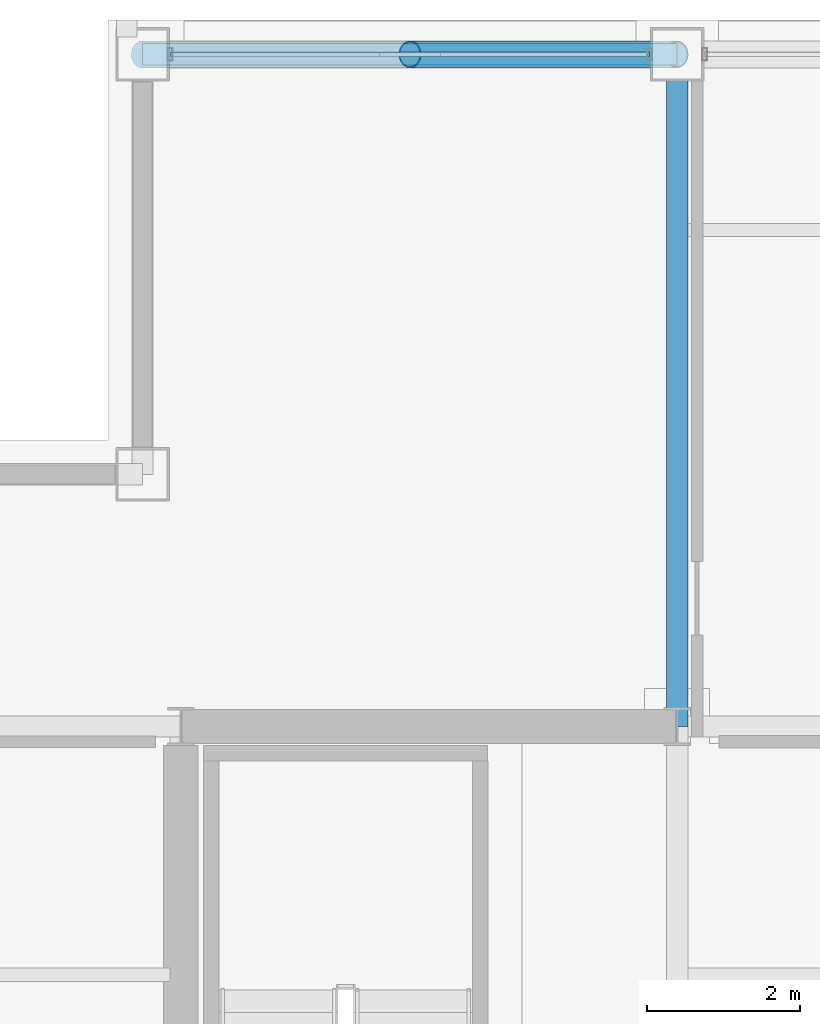
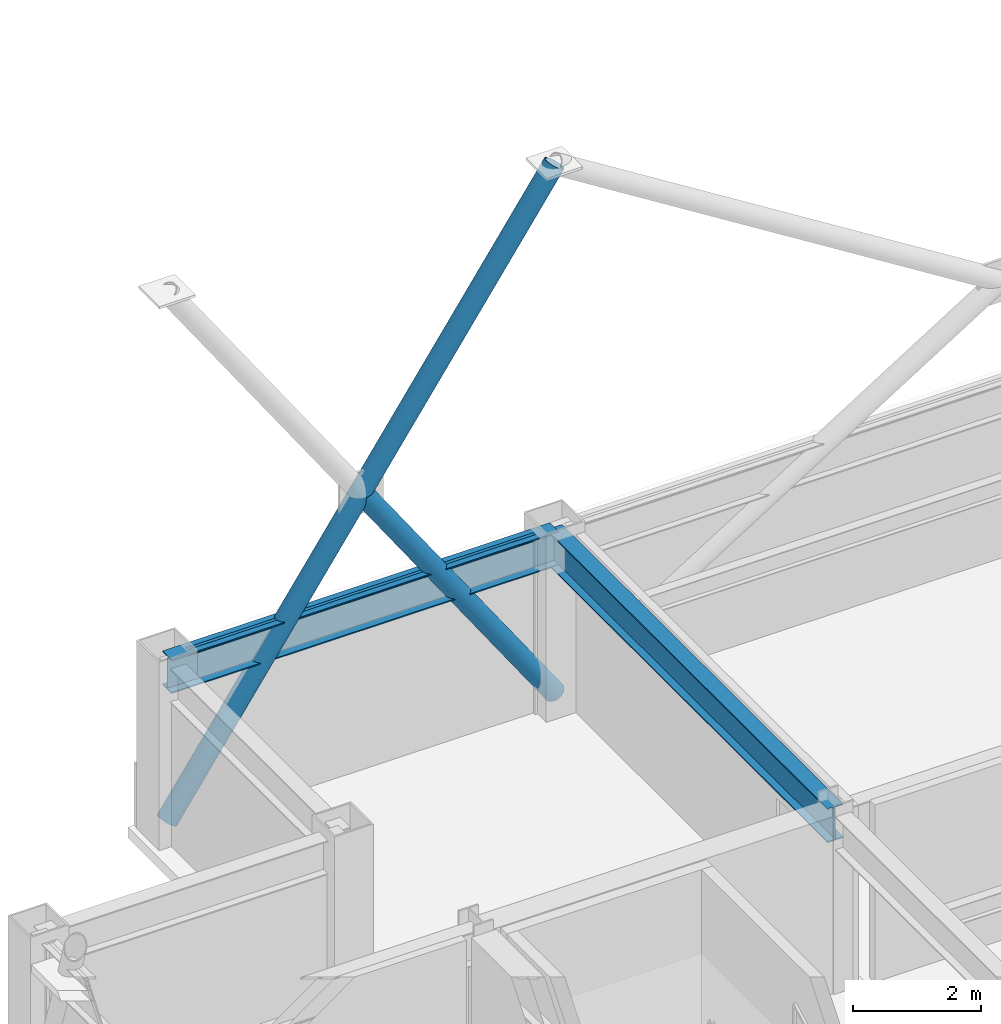
# One storey, part 22 of 33: 3 members, 2 beams, 1 element without a shape of its own.
"""IFC4 building model written with IfcOpenShell, lengths in metres."""

from ifc_helpers import new_model, si_unit, direction, frame, origin, origin_2d, place, context, subcontext, project, spatial, hollow_rectangle, hollow_circle, i_section, extrude, material, layer, layer_set, material_profile, profile_set, type_object, element, aggregate, save


model = new_model("IFC4")

# Units and contexts
model_context = context("Model", 3, precision=1e-05, world=origin(), true_north=direction((0.0, 1.0)))
body_context = subcontext(model_context, "Body", "Model", "MODEL_VIEW")
ifc_project = project(units=[si_unit("LENGTHUNIT", "METRE"), si_unit("AREAUNIT", "SQUARE_METRE"), si_unit("VOLUMEUNIT", "CUBIC_METRE"), si_unit("PLANEANGLEUNIT", "RADIAN"), si_unit("MASSUNIT", "GRAM", prefix="KILO")], contexts=[model_context])

# Site, building, storey
site_placement = place(None, origin())
site = spatial("IfcSite", under=ifc_project, at=site_placement, CompositionType="ELEMENT")
building_placement = place(site_placement, origin())
building = spatial("IfcBuilding", under=site, at=building_placement, Name="Brelmoor Portico Tower", CompositionType="ELEMENT")
storey_placement = place(building_placement, frame((0.0, 0.0, 194.699951171875)))
storey = spatial("IfcBuildingStorey", under=building, at=storey_placement, Name="L51", CompositionType="ELEMENT", Elevation=194.699951171875)

# Beams
ifc_material_1 = material(Name="Steel Q355B", Category="steel")
ifc_material_profile_1 = material_profile(ifc_material_1, i_section(OverallWidth=0.280029296875, OverallDepth=0.64990234375, WebThickness=0.012939453125, FlangeThickness=0.02197265625, at=origin_2d()), Name="HN 650x280x13x22")
ifc_profile_set_1 = profile_set([ifc_material_profile_1], Name="Steel Q355B")
beam_type_1 = type_object("IfcBeamType", Name="BM-PG-650", PredefinedType="BEAM", material=ifc_profile_set_1)
beam_1_placement = place(storey_placement, frame((-8.050048828125, 9.75, 3.074951171875), z_axis=(0.0, 1.0, 0.0), x_axis=(-1.0, 0.0, 0.0)))
element("IfcBeam", 1, at=beam_1_placement, inside=storey, type_object=beam_type_1, Name="L51 Primary Floor Girder PG-05", PredefinedType="BEAM", context=body_context, shape_type="SweptSolid", body=[
    extrude(i_section(OverallWidth=0.280029296875, OverallDepth=0.64990234375, WebThickness=0.012939453125, FlangeThickness=0.02197265625, at=origin_2d()), origin(), (0.0, 0.0, 1.0), 8.800048828125),
])
ifc_material_profile_2 = material_profile(ifc_material_1, i_section(OverallWidth=0.280029296875, OverallDepth=0.64990234375, WebThickness=0.012939453125, FlangeThickness=0.02197265625, at=origin_2d()), Name="HN 650x280x13x22")
ifc_profile_set_2 = profile_set([ifc_material_profile_2], Name="Steel Q355B")
beam_type_2 = type_object("IfcBeamType", Name="BM-SP-650", PredefinedType="SPANDREL", material=ifc_profile_set_2)
beam_2_placement = place(storey_placement, frame((-15.050048828125, 18.550048828125, 3.074951171875), z_axis=(1.0, 0.0, 0.0), x_axis=(0.0, 1.0, 0.0)))
element("IfcBeam", 2, at=beam_2_placement, inside=storey, type_object=beam_type_2, Name="L51 Perimeter Spandrel Beam SP-08", PredefinedType="SPANDREL", context=body_context, shape_type="SweptSolid", body=[
    extrude(i_section(OverallWidth=0.280029296875, OverallDepth=0.64990234375, WebThickness=0.012939453125, FlangeThickness=0.02197265625, at=origin_2d()), origin(), (0.0, 0.0, 1.0), 7.0),
])

# Members
ifc_material_profile_3 = material_profile(ifc_material_1, hollow_circle(Radius=0.177978515625, WallThickness=0.01611328125, at=origin_2d()), Name="CHS 356x16")
ifc_profile_set_3 = profile_set([ifc_material_profile_3], Name="Steel Q355B")
member_type_1 = type_object("IfcMemberType", Name="MB-BELT-DIAG2", PredefinedType="BRACE", material=ifc_profile_set_3)
member_1_placement = place(storey_placement, frame((-15.050048828125, 18.550048828125, 0.25), z_axis=(0.569629338867, 0.0, 0.821901707203), x_axis=(0.0, 1.0, 0.0)))
element("IfcMember", 3, at=member_1_placement, inside=storey, type_object=member_type_1, Name="L51 Continuous Mega-X Brace 119A", PredefinedType="BRACE", context=body_context, shape_type="SweptSolid", body=[
    extrude(hollow_circle(Radius=0.177978515625, WallThickness=0.01611328125, at=origin_2d()), origin(), (0.0, 0.0, 1.0), 12.28857421875),
])
member_2_placement = place(storey_placement, frame((-8.050048828125, 18.550048828125, 0.25), z_axis=(-0.569629338867, 0.0, 0.821901707203), x_axis=(0.0, -1.0, 0.0)))
element("IfcMember", 4, at=member_2_placement, inside=storey, type_object=member_type_1, Name="L51 Split Mega-X Brace 119B1", PredefinedType="BRACE", context=body_context, shape_type="SweptSolid", body=[
    extrude(hollow_circle(Radius=0.177978515625, WallThickness=0.01611328125, at=origin_2d()), origin(), (0.0, 0.0, 1.0), 6.144287109375),
])

# Curtain wall, member
ifc_material_2 = material(Name="Anodised Aluminium Alloy 6063-T6", Category="aluminium")
ifc_layer = layer(ifc_material_2, 0.179931640625)
ifc_layer_set = layer_set([ifc_layer], Name="Anodised Aluminium Alloy 6063-T6")
curtain_wall_type = type_object("IfcCurtainWallType", Name="CW-TOWER-Z3-XB", PredefinedType="NOTDEFINED", material=ifc_layer_set)
curtain_wall_placement = place(storey_placement, origin())
curtain_wall = element("IfcCurtainWall", 5, at=curtain_wall_placement, inside=storey, type_object=curtain_wall_type, Name="L51 Curtain Wall CW-L51-02-1", PredefinedType="NOTDEFINED")
ifc_material_profile_4 = material_profile(ifc_material_2, hollow_rectangle(XDim=0.06005859375, YDim=0.125, WallThickness=0.00341796875, at=origin_2d()), Name="ALU TRANSOM 60x125")
ifc_profile_set_4 = profile_set([ifc_material_profile_4], Name="Anodised Aluminium Alloy 6063-T6")
member_type_2 = type_object("IfcMemberType", Name="MB-CW-TRAN-125", PredefinedType="USERDEFINED", material=ifc_profile_set_4)
member_3_placement = place(storey_placement, frame((-14.68994140625, 18.550048828125, 3.337646484375), z_axis=(1.0, 0.0, 0.0), x_axis=(0.0, 1.0, 0.0)))
member_3 = element("IfcMember", 6, at=member_3_placement, type_object=member_type_2, Name="CW-L51-02-1 Transom 1-00", ObjectType="TRANSOM", PredefinedType="USERDEFINED", context=body_context, shape_type="SweptSolid", body=[
    extrude(hollow_rectangle(XDim=0.06005859375, YDim=0.125, WallThickness=0.00341796875, at=origin_2d()), origin(), (0.0, 0.0, 1.0), 6.280029296875),
])
aggregate(curtain_wall, [member_3])

save(model, "model.ifc")
